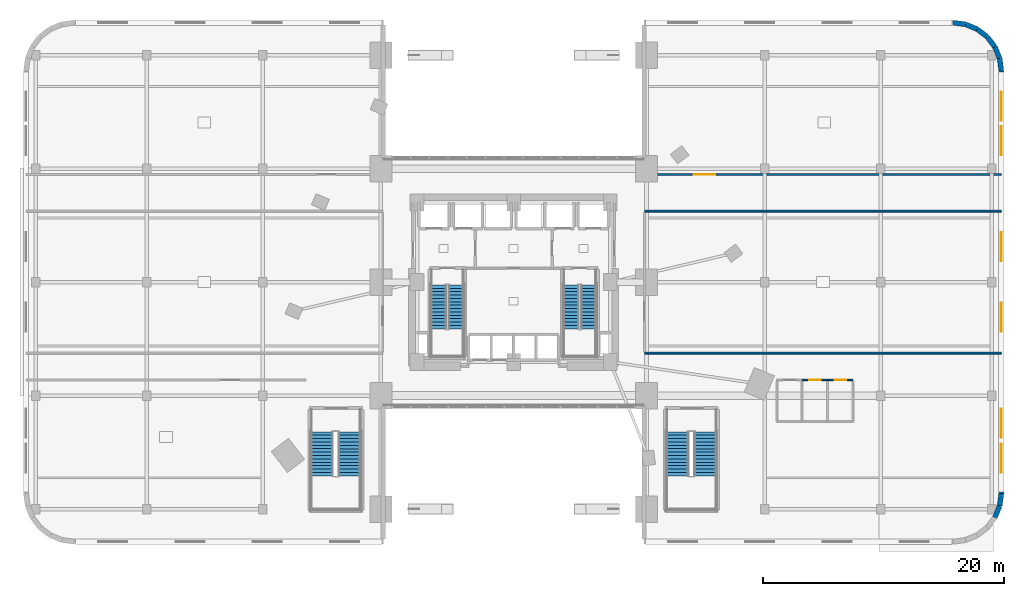
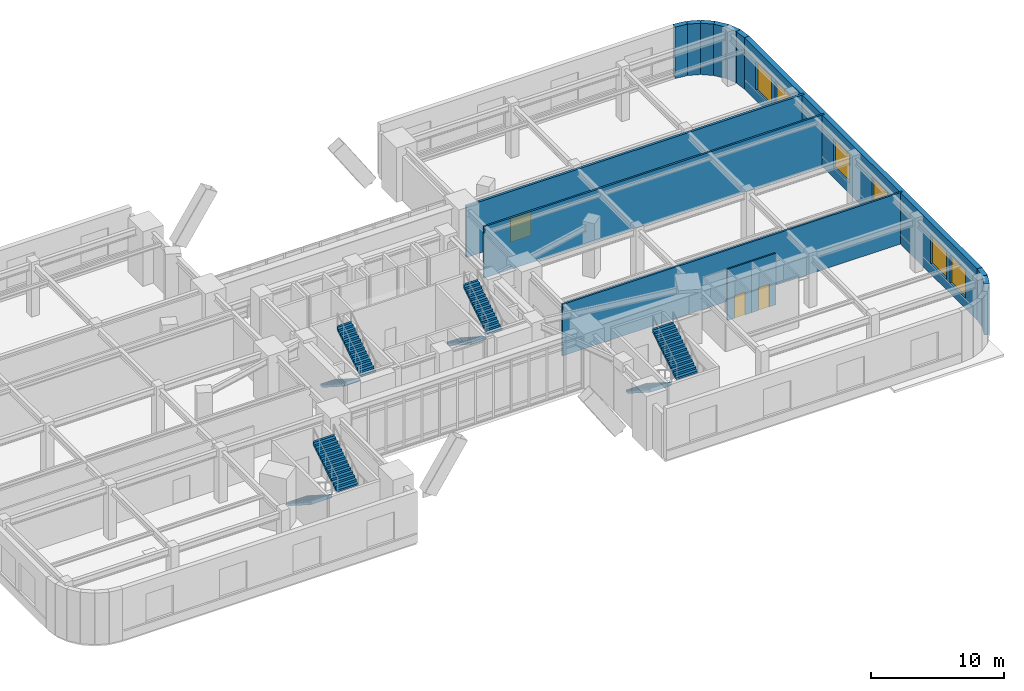
# One storey, part 22 of 26: 14 walls, 8 stair flights, 6 windows, 3 doors, 9 openings, 4 elements without a shape of their own.
"""IFC4 building model written with IfcOpenShell, lengths in metres."""

from ifc_helpers import new_model, si_unit, direction, frame, frame_2d, origin, place, context, subcontext, project, spatial, polyline, rectangle, outline, extrude, material, layer, layer_set, type_object, element, fill, aggregate, save


model = new_model("IFC4")

# Units and contexts
model_context = context("Model", 3, precision=1e-05, world=origin(), true_north=direction((0.0, 1.0)))
body_context = subcontext(model_context, "Body", "Model", "MODEL_VIEW")
ifc_project = project(units=[si_unit("LENGTHUNIT", "METRE"), si_unit("AREAUNIT", "SQUARE_METRE"), si_unit("VOLUMEUNIT", "CUBIC_METRE"), si_unit("PLANEANGLEUNIT", "RADIAN"), si_unit("MASSUNIT", "GRAM", prefix="KILO")], contexts=[model_context])

# Site, building, storey
site_placement = place(None, origin())
site = spatial("IfcSite", under=ifc_project, at=site_placement, CompositionType="ELEMENT")
building_placement = place(site_placement, origin())
building = spatial("IfcBuilding", under=site, at=building_placement, Name="Ndelora Gate Hotel", CompositionType="ELEMENT")
storey_placement = place(building_placement, frame((0.0, 0.0, 6.0)))
storey = spatial("IfcBuildingStorey", under=building, at=storey_placement, Name="L01", CompositionType="ELEMENT", Elevation=6.0)

# Walls
ifc_material_1 = material(Name="Clay Brick Masonry", Category="masonry")
ifc_layer_1 = layer(ifc_material_1, 0.419921875)
ifc_layer_set_1 = layer_set([ifc_layer_1], Name="Clay Brick Masonry")
wall_type_1 = type_object("IfcWallType", Name="WL-BRICK-420", PredefinedType="SOLIDWALL", material=ifc_layer_set_1)
wall_1_placement = place(storey_placement, frame((40.263671875, -18.535400390625, 0.0), z_axis=(0.0, 0.0, 1.0), x_axis=(-0.382771688877, -0.923842970528, 0.0)))
element("IfcWall", 1, at=wall_1_placement, inside=storey, type_object=wall_type_1, Name="L01 Exterior Brick Pier-and-Spandrel Wall 5", PredefinedType="SOLIDWALL", context=body_context, shape_type="SweptSolid", body=[
    extrude(rectangle(XDim=1.044189453125, YDim=0.419921875, at=frame_2d((0.52197265625, 0.0))), origin(), (0.0, 0.0, 1.0), 4.719970703125),
])
wall_2_placement = place(storey_placement, frame((40.39990234375, -17.5, 0.0), z_axis=(0.0, 0.0, 1.0), x_axis=(-0.130448465198, -0.991455091231, 0.0)))
element("IfcWall", 2, at=wall_2_placement, inside=storey, type_object=wall_type_1, Name="L01 Exterior Brick Pier-and-Spandrel Wall 6", PredefinedType="SOLIDWALL", context=body_context, shape_type="SweptSolid", body=[
    extrude(rectangle(XDim=1.04443359375, YDim=0.419921875, at=frame_2d((0.522216796875, 0.0))), origin(), (0.0, 0.0, 1.0), 4.719970703125),
])

# Wall, openings, windows
wall_3_placement = place(storey_placement, frame((40.39990234375, 17.5, 0.0), z_axis=(0.0, 0.0, 1.0), x_axis=(0.0, -1.0, 0.0)))
wall_3 = element("IfcWall", 3, at=wall_3_placement, inside=storey, type_object=wall_type_1, Name="L01 Exterior Brick Pier-and-Spandrel Wall 7", PredefinedType="SOLIDWALL", context=body_context, shape_type="SweptSolid", body=[
    extrude(rectangle(XDim=35.0, YDim=0.419921875, at=frame_2d((17.5, 0.0))), origin(), (0.0, 0.0, 1.0), 4.719970703125),
])
opening_1_placement = place(wall_3_placement, frame((1.716796875, 0.0, 0.949951171875)))
opening_1 = element("IfcOpeningElement", 4, at=opening_1_placement, cuts=wall_3, Name="Opening W04", PredefinedType="OPENING", context=body_context, shape_type="SweptSolid", body=[
    extrude(rectangle(XDim=2.39990234375, YDim=2.60009765625, at=frame_2d((1.199951171875, 1.300048828125))), frame((0.0, 0.219970703125, 0.0), z_axis=(0.0, -1.0, 0.0), x_axis=(1.0, 0.0, 0.0)), (0.0, 0.0, 1.0), 0.43994140625),
])
opening_2_placement = place(wall_3_placement, frame((4.60009765625, 0.0, 0.949951171875)))
opening_2 = element("IfcOpeningElement", 5, at=opening_2_placement, cuts=wall_3, Name="Opening W04", PredefinedType="OPENING", context=body_context, shape_type="SweptSolid", body=[
    extrude(rectangle(XDim=2.39990234375, YDim=2.60009765625, at=frame_2d((1.199951171875, 1.300048828125))), frame((0.0, 0.219970703125, 0.0), z_axis=(0.0, -1.0, 0.0), x_axis=(1.0, 0.0, 0.0)), (0.0, 0.0, 1.0), 0.43994140625),
])
opening_3_placement = place(wall_3_placement, frame((13.38330078125, 0.0, 0.949951171875)))
opening_3 = element("IfcOpeningElement", 6, at=opening_3_placement, cuts=wall_3, Name="Opening W04", PredefinedType="OPENING", context=body_context, shape_type="SweptSolid", body=[
    extrude(rectangle(XDim=2.39990234375, YDim=2.60009765625, at=frame_2d((1.199951171875, 1.300048828125))), frame((0.0, 0.219970703125, 0.0), z_axis=(0.0, -1.0, 0.0), x_axis=(1.0, 0.0, 0.0)), (0.0, 0.0, 1.0), 0.43994140625),
])
opening_4_placement = place(wall_3_placement, frame((19.216796875, 0.0, 0.949951171875)))
opening_4 = element("IfcOpeningElement", 7, at=opening_4_placement, cuts=wall_3, Name="Opening W04", PredefinedType="OPENING", context=body_context, shape_type="SweptSolid", body=[
    extrude(rectangle(XDim=2.39990234375, YDim=2.60009765625, at=frame_2d((1.199951171875, 1.300048828125))), frame((0.0, 0.219970703125, 0.0), z_axis=(0.0, -1.0, 0.0), x_axis=(1.0, 0.0, 0.0)), (0.0, 0.0, 1.0), 0.43994140625),
])
opening_5_placement = place(wall_3_placement, frame((28.0, 0.0, 0.949951171875)))
opening_5 = element("IfcOpeningElement", 8, at=opening_5_placement, cuts=wall_3, Name="Opening W04", PredefinedType="OPENING", context=body_context, shape_type="SweptSolid", body=[
    extrude(rectangle(XDim=2.39990234375, YDim=2.60009765625, at=frame_2d((1.199951171875, 1.300048828125))), frame((0.0, 0.219970703125, 0.0), z_axis=(0.0, -1.0, 0.0), x_axis=(1.0, 0.0, 0.0)), (0.0, 0.0, 1.0), 0.43994140625),
])
opening_6_placement = place(wall_3_placement, frame((30.88330078125, 0.0, 0.949951171875)))
opening_6 = element("IfcOpeningElement", 9, at=opening_6_placement, cuts=wall_3, Name="Opening W04", PredefinedType="OPENING", context=body_context, shape_type="SweptSolid", body=[
    extrude(rectangle(XDim=2.39990234375, YDim=2.60009765625, at=frame_2d((1.199951171875, 1.300048828125))), frame((0.0, 0.219970703125, 0.0), z_axis=(0.0, -1.0, 0.0), x_axis=(1.0, 0.0, 0.0)), (0.0, 0.0, 1.0), 0.43994140625),
])
ifc_material_2 = material(Name="Insulated Low-E Double Glazing in Bronze Aluminium Frame", Category="aluminium")
window_type = type_object("IfcWindowType", Name="WN-POD-2400", PartitioningType="SINGLE_PANEL", PredefinedType="WINDOW", material=ifc_material_2)
window_1_placement = place(opening_1_placement, origin())
window_1 = element("IfcWindow", 10, at=window_1_placement, inside=storey, type_object=window_type, Name="L01 Deep-Set Podium Brick-Frame Window W04", OverallHeight=2.60009765625, OverallWidth=2.39990234375, PartitioningType="SINGLE_PANEL", PredefinedType="WINDOW", context=body_context, shape_type="SweptSolid", body=[
    extrude(rectangle(XDim=2.39990234375, YDim=2.60009765625, at=frame_2d((1.199951171875, 1.300048828125))), frame((0.0, 0.030029296875, 0.0), z_axis=(0.0, -1.0, 0.0), x_axis=(1.0, 0.0, 0.0)), (0.0, 0.0, 1.0), 0.06005859375),
])
fill(opening_1, window_1)
window_2_placement = place(opening_2_placement, origin())
window_2 = element("IfcWindow", 11, at=window_2_placement, inside=storey, type_object=window_type, Name="L01 Deep-Set Podium Brick-Frame Window W04", OverallHeight=2.60009765625, OverallWidth=2.39990234375, PartitioningType="SINGLE_PANEL", PredefinedType="WINDOW", context=body_context, shape_type="SweptSolid", body=[
    extrude(rectangle(XDim=2.39990234375, YDim=2.60009765625, at=frame_2d((1.199951171875, 1.300048828125))), frame((0.0, 0.030029296875, 0.0), z_axis=(0.0, -1.0, 0.0), x_axis=(1.0, 0.0, 0.0)), (0.0, 0.0, 1.0), 0.06005859375),
])
fill(opening_2, window_2)
window_3_placement = place(opening_3_placement, origin())
window_3 = element("IfcWindow", 12, at=window_3_placement, inside=storey, type_object=window_type, Name="L01 Deep-Set Podium Brick-Frame Window W04", OverallHeight=2.60009765625, OverallWidth=2.39990234375, PartitioningType="SINGLE_PANEL", PredefinedType="WINDOW", context=body_context, shape_type="SweptSolid", body=[
    extrude(rectangle(XDim=2.39990234375, YDim=2.60009765625, at=frame_2d((1.199951171875, 1.300048828125))), frame((0.0, 0.030029296875, 0.0), z_axis=(0.0, -1.0, 0.0), x_axis=(1.0, 0.0, 0.0)), (0.0, 0.0, 1.0), 0.06005859375),
])
fill(opening_3, window_3)
window_4_placement = place(opening_4_placement, origin())
window_4 = element("IfcWindow", 13, at=window_4_placement, inside=storey, type_object=window_type, Name="L01 Deep-Set Podium Brick-Frame Window W04", OverallHeight=2.60009765625, OverallWidth=2.39990234375, PartitioningType="SINGLE_PANEL", PredefinedType="WINDOW", context=body_context, shape_type="SweptSolid", body=[
    extrude(rectangle(XDim=2.39990234375, YDim=2.60009765625, at=frame_2d((1.199951171875, 1.300048828125))), frame((0.0, 0.030029296875, 0.0), z_axis=(0.0, -1.0, 0.0), x_axis=(1.0, 0.0, 0.0)), (0.0, 0.0, 1.0), 0.06005859375),
])
fill(opening_4, window_4)
window_5_placement = place(opening_5_placement, origin())
window_5 = element("IfcWindow", 14, at=window_5_placement, inside=storey, type_object=window_type, Name="L01 Deep-Set Podium Brick-Frame Window W04", OverallHeight=2.60009765625, OverallWidth=2.39990234375, PartitioningType="SINGLE_PANEL", PredefinedType="WINDOW", context=body_context, shape_type="SweptSolid", body=[
    extrude(rectangle(XDim=2.39990234375, YDim=2.60009765625, at=frame_2d((1.199951171875, 1.300048828125))), frame((0.0, 0.030029296875, 0.0), z_axis=(0.0, -1.0, 0.0), x_axis=(1.0, 0.0, 0.0)), (0.0, 0.0, 1.0), 0.06005859375),
])
fill(opening_5, window_5)
window_6_placement = place(opening_6_placement, origin())
window_6 = element("IfcWindow", 15, at=window_6_placement, inside=storey, type_object=window_type, Name="L01 Deep-Set Podium Brick-Frame Window W04", OverallHeight=2.60009765625, OverallWidth=2.39990234375, PartitioningType="SINGLE_PANEL", PredefinedType="WINDOW", context=body_context, shape_type="SweptSolid", body=[
    extrude(rectangle(XDim=2.39990234375, YDim=2.60009765625, at=frame_2d((1.199951171875, 1.300048828125))), frame((0.0, 0.030029296875, 0.0), z_axis=(0.0, -1.0, 0.0), x_axis=(1.0, 0.0, 0.0)), (0.0, 0.0, 1.0), 0.06005859375),
])
fill(opening_6, window_6)

# Walls
wall_4_placement = place(storey_placement, frame((40.263671875, 18.535400390625, 0.0), z_axis=(0.0, 0.0, 1.0), x_axis=(0.130448465198, -0.991455091231, 0.0)))
element("IfcWall", 16, at=wall_4_placement, inside=storey, type_object=wall_type_1, Name="L01 Exterior Brick Pier-and-Spandrel Wall 8", PredefinedType="SOLIDWALL", context=body_context, shape_type="SweptSolid", body=[
    extrude(rectangle(XDim=1.04443359375, YDim=0.419921875, at=frame_2d((0.522216796875, 0.0))), origin(), (0.0, 0.0, 1.0), 4.719970703125),
])
wall_5_placement = place(storey_placement, frame((39.864013671875, 19.5, 0.0), z_axis=(0.0, 0.0, 1.0), x_axis=(0.382771688877, -0.923842970528, 0.0)))
element("IfcWall", 17, at=wall_5_placement, inside=storey, type_object=wall_type_1, Name="L01 Exterior Brick Pier-and-Spandrel Wall 9", PredefinedType="SOLIDWALL", context=body_context, shape_type="SweptSolid", body=[
    extrude(rectangle(XDim=1.044189453125, YDim=0.419921875, at=frame_2d((0.52197265625, 0.0))), origin(), (0.0, 0.0, 1.0), 4.719970703125),
])
wall_6_placement = place(storey_placement, frame((39.228515625, 20.328369140625, 0.0), z_axis=(0.0, 0.0, 1.0), x_axis=(0.608681879412, -0.793414374508, 0.0)))
element("IfcWall", 18, at=wall_6_placement, inside=storey, type_object=wall_type_1, Name="L01 Exterior Brick Pier-and-Spandrel Wall 10", PredefinedType="SOLIDWALL", context=body_context, shape_type="SweptSolid", body=[
    extrude(rectangle(XDim=1.0439453125, YDim=0.419921875, at=frame_2d((0.52197265625, 0.0))), origin(), (0.0, 0.0, 1.0), 4.719970703125),
])
wall_7_placement = place(storey_placement, frame((38.39990234375, 20.964111328125, 0.0), z_axis=(0.0, 0.0, 1.0), x_axis=(0.793388088797, -0.608716141198, 0.0)))
element("IfcWall", 19, at=wall_7_placement, inside=storey, type_object=wall_type_1, Name="L01 Exterior Brick Pier-and-Spandrel Wall 11", PredefinedType="SOLIDWALL", context=body_context, shape_type="SweptSolid", body=[
    extrude(rectangle(XDim=1.04443359375, YDim=0.419921875, at=frame_2d((0.522216796875, 0.0))), origin(), (0.0, 0.0, 1.0), 4.719970703125),
])
wall_8_placement = place(storey_placement, frame((37.435302734375, 21.36376953125, 0.0), z_axis=(0.0, 0.0, 1.0), x_axis=(0.923842970528, -0.382771688877, 0.0)))
element("IfcWall", 20, at=wall_8_placement, inside=storey, type_object=wall_type_1, Name="L01 Exterior Brick Pier-and-Spandrel Wall 12", PredefinedType="SOLIDWALL", context=body_context, shape_type="SweptSolid", body=[
    extrude(rectangle(XDim=1.044189453125, YDim=0.419921875, at=frame_2d((0.52197265625, 0.0))), origin(), (0.0, 0.0, 1.0), 4.719970703125),
])
wall_9_placement = place(storey_placement, frame((36.39990234375, 21.5, 0.0), z_axis=(0.0, 0.0, 1.0), x_axis=(0.991455091231, -0.130448465198, 0.0)))
element("IfcWall", 21, at=wall_9_placement, inside=storey, type_object=wall_type_1, Name="L01 Exterior Brick Pier-and-Spandrel Wall 13", PredefinedType="SOLIDWALL", context=body_context, shape_type="SweptSolid", body=[
    extrude(rectangle(XDim=1.04443359375, YDim=0.419921875, at=frame_2d((0.522216796875, 0.0))), origin(), (0.0, 0.0, 1.0), 4.719970703125),
])

# Wall, opening, door
ifc_material_3 = material(Name="Concrete C40/50", Category="concrete")
ifc_layer_2 = layer(ifc_material_3, 0.199951171875)
ifc_layer_set_2 = layer_set([ifc_layer_2], Name="Concrete C40/50")
wall_type_2 = type_object("IfcWallType", Name="WL-FIRE-200", PredefinedType="PARTITIONING", material=ifc_layer_set_2)
wall_10_placement = place(storey_placement, frame((11.050048828125, 8.919921875, 0.0), z_axis=(0.0, 0.0, 1.0), x_axis=(1.0, 0.0, 0.0)))
wall_10 = element("IfcWall", 22, at=wall_10_placement, inside=storey, type_object=wall_type_2, Name="L01 Interior Wall IW-2", PredefinedType="PARTITIONING", context=body_context, shape_type="SweptSolid", body=[
    extrude(rectangle(XDim=29.349853515625, YDim=0.199951171875, at=frame_2d((14.6748046875, 0.0))), origin(), (0.0, 0.0, 1.0), 4.719970703125),
])
opening_7_placement = place(wall_10_placement, frame((3.860107421875, 0.0, 0.0)))
opening_7 = element("IfcOpeningElement", 23, at=opening_7_placement, cuts=wall_10, Name="Opening FD2", PredefinedType="OPENING", context=body_context, shape_type="SweptSolid", body=[
    extrude(rectangle(XDim=1.800048828125, YDim=2.199951171875, at=frame_2d((0.89990234375, 1.10009765625))), frame((0.0, 0.10986328125, 0.0), z_axis=(0.0, -1.0, 0.0), x_axis=(1.0, 0.0, 0.0)), (0.0, 0.0, 1.0), 0.219970703125),
])
ifc_material_4 = material(Name="Fire-Rated Double Exit Door", Category="wood")
door_type_1 = type_object("IfcDoorType", Name="DR-DBL-1800", OperationType="DOUBLE_DOOR_SINGLE_SWING", PredefinedType="DOOR", material=ifc_material_4)
door_1_placement = place(opening_7_placement, origin())
door_1 = element("IfcDoor", 24, at=door_1_placement, inside=storey, type_object=door_type_1, Name="L01 Main Culinary Production Kitchen Door", OperationType="DOUBLE_DOOR_SINGLE_SWING", OverallHeight=2.199951171875, OverallWidth=1.800048828125, PredefinedType="DOOR", context=body_context, shape_type="SweptSolid", body=[
    extrude(rectangle(XDim=1.800048828125, YDim=2.199951171875, at=frame_2d((0.89990234375, 1.10009765625))), frame((0.0, 0.02490234375, 0.0), z_axis=(0.0, -1.0, 0.0), x_axis=(1.0, 0.0, 0.0)), (0.0, 0.0, 1.0), 0.050048828125),
])
fill(opening_7, door_1)

# Walls
ifc_material_5 = material(Name="Fire-Rated Gypsum Stud Partition", Category="gypsum")
ifc_layer_3 = layer(ifc_material_5, 0.159912109375)
ifc_layer_set_3 = layer_set([ifc_layer_3], Name="Fire-Rated Gypsum Stud Partition")
wall_type_3 = type_object("IfcWallType", Name="WL-PART-160", PredefinedType="PARTITIONING", material=ifc_layer_set_3)
for number, where, z_axis, x_axis, name in (
    (25, (40.39990234375, 5.8798828125, 0.0), (0.0, 0.0, 1.0), (-1.0, 0.0, 0.0), "L01 Interior Wall IW-4"),
    (26, (10.85009765625, -5.8798828125, 0.0), (0.0, 0.0, 1.0), (1.0, 0.0, 0.0), "L01 Interior Wall IW-4"),
):
    element("IfcWall", number, at=place(storey_placement, frame(where, z_axis=z_axis, x_axis=x_axis)), inside=storey, type_object=wall_type_3, Name=name, PredefinedType="PARTITIONING", context=body_context, shape_type="SweptSolid", body=[
        extrude(rectangle(XDim=29.5498046875, YDim=0.159912109375, at=frame_2d((14.77490234375, 0.0))), origin(), (0.0, 0.0, 1.0), 4.719970703125),
    ])

# Wall, opening, door
ifc_material_6 = material(Name="Moisture-Resistant Fire-Rated Tile Partition", Category="gypsum")
ifc_layer_4 = layer(ifc_material_6, 0.1298828125)
ifc_layer_set_4 = layer_set([ifc_layer_4], Name="Moisture-Resistant Fire-Rated Tile Partition")
wall_type_4 = type_object("IfcWallType", Name="WL-WET-RATED", PredefinedType="PARTITIONING", material=ifc_layer_set_4)
wall_11_placement = place(storey_placement, frame((26.0, -8.10009765625, 0.0), z_axis=(0.0, 0.0, 1.0), x_axis=(-1.0, 0.0, 0.0)))
wall_11 = element("IfcWall", 27, at=wall_11_placement, inside=storey, type_object=wall_type_4, Name="L01 Interior Wall IW-6", PredefinedType="PARTITIONING", context=body_context, shape_type="SweptSolid", body=[
    extrude(rectangle(XDim=2.10009765625, YDim=0.1298828125, at=frame_2d((1.050048828125, 0.0))), origin(), (0.0, 0.0, 1.0), 4.719970703125),
])
opening_8_placement = place(wall_11_placement, frame((0.550048828125, 0.0, 0.0)))
opening_8 = element("IfcOpeningElement", 28, at=opening_8_placement, cuts=wall_11, Name="Opening D05", PredefinedType="OPENING", context=body_context, shape_type="SweptSolid", body=[
    extrude(rectangle(XDim=0.949951171875, YDim=2.10009765625, at=frame_2d((0.47509765625, 1.050048828125))), frame((0.0, 0.074951171875, 0.0), z_axis=(0.0, -1.0, 0.0), x_axis=(1.0, 0.0, 0.0)), (0.0, 0.0, 1.0), 0.14990234375),
])
ifc_material_7 = material(Name="Accessible Restroom Wide-Clearance Door", Category="wood")
door_type_2 = type_object("IfcDoorType", Name="DR-ACC-950", OperationType="SINGLE_SWING_LEFT", PredefinedType="DOOR", material=ifc_material_7)
door_2_placement = place(opening_8_placement, origin())
door_2 = element("IfcDoor", 29, at=door_2_placement, inside=storey, type_object=door_type_2, Name="L01 Female Public Restroom Door", OperationType="SINGLE_SWING_RIGHT", OverallHeight=2.10009765625, OverallWidth=0.949951171875, PredefinedType="DOOR", context=body_context, shape_type="SweptSolid", body=[
    extrude(rectangle(XDim=0.949951171875, YDim=2.10009765625, at=frame_2d((0.47509765625, 1.050048828125))), frame((0.0, 0.02490234375, 0.0), z_axis=(0.0, -1.0, 0.0), x_axis=(1.0, 0.0, 0.0)), (0.0, 0.0, 1.0), 0.050048828125),
])
fill(opening_8, door_2)

wall_12_placement = place(storey_placement, frame((28.10009765625, -8.10009765625, 0.0), z_axis=(0.0, 0.0, 1.0), x_axis=(-1.0, 0.0, 0.0)))
wall_12 = element("IfcWall", 30, at=wall_12_placement, inside=storey, type_object=wall_type_4, Name="L01 Interior Wall IW-6", PredefinedType="PARTITIONING", context=body_context, shape_type="SweptSolid", body=[
    extrude(rectangle(XDim=2.10009765625, YDim=0.1298828125, at=frame_2d((1.050048828125, 0.0))), origin(), (0.0, 0.0, 1.0), 4.719970703125),
])
opening_9_placement = place(wall_12_placement, frame((0.550048828125, 0.0, 0.0)))
opening_9 = element("IfcOpeningElement", 31, at=opening_9_placement, cuts=wall_12, Name="Opening D05", PredefinedType="OPENING", context=body_context, shape_type="SweptSolid", body=[
    extrude(rectangle(XDim=0.949951171875, YDim=2.10009765625, at=frame_2d((0.47509765625, 1.050048828125))), frame((0.0, 0.074951171875, 0.0), z_axis=(0.0, -1.0, 0.0), x_axis=(1.0, 0.0, 0.0)), (0.0, 0.0, 1.0), 0.14990234375),
])
door_3_placement = place(opening_9_placement, origin())
door_3 = element("IfcDoor", 32, at=door_3_placement, inside=storey, type_object=door_type_2, Name="L01 Accessible WC Door", OperationType="SINGLE_SWING_LEFT", OverallHeight=2.10009765625, OverallWidth=0.949951171875, PredefinedType="DOOR", context=body_context, shape_type="SweptSolid", body=[
    extrude(rectangle(XDim=0.949951171875, YDim=2.10009765625, at=frame_2d((0.47509765625, 1.050048828125))), frame((0.0, 0.02490234375, 0.0), z_axis=(0.0, -1.0, 0.0), x_axis=(1.0, 0.0, 0.0)), (0.0, 0.0, 1.0), 0.050048828125),
])
fill(opening_9, door_3)

# Stair, stair flights
ifc_material_8 = material(Name="Precast concrete C40/50", Category="concrete")
stair_type_1 = type_object("IfcStairType", Name="STR-DOG-CORE", PredefinedType="HALF_TURN_STAIR", material=ifc_material_8)
stair_1_placement = place(storey_placement, origin())
stair_1 = element("IfcStair", 33, at=stair_1_placement, inside=storey, type_object=stair_type_1, Name="L01 Protected Core Exit Stair ST4", PredefinedType="HALF_TURN_STAIR")
stair_flight_type_1 = type_object("IfcStairFlightType", Name="STF-PRECAST", PredefinedType="STRAIGHT", material=ifc_material_8)
stair_flight_1_placement = place(storey_placement, frame((-6.2099609375, -0.22998046875, 0.0), z_axis=(0.0, 0.0, 1.0), x_axis=(0.0, -1.0, 0.0)))
stair_flight_1 = element("IfcStairFlight", 34, at=stair_flight_1_placement, type_object=stair_flight_type_1, Name="ST4 flight 1", NumberOfRisers=14, NumberOfTreads=13, PredefinedType="STRAIGHT", RiserHeight=0.178571429, TreadLength=0.28, context=body_context, shape_type="SweptSolid", body=[
    extrude(outline(polyline([(-0.00048828125, 0.0), (-0.00048828125, 0.178466796875), (0.0, 0.178466796875), (0.280029296875, 0.178466796875), (0.280029296875, 0.357177734375), (0.56005859375, 0.357177734375), (0.56005859375, 0.53564453125), (0.840087890625, 0.53564453125), (0.840087890625, 0.71435546875), (1.1201171875, 0.71435546875), (1.1201171875, 0.892822265625), (1.39990234375, 0.892822265625), (1.39990234375, 1.071533203125), (1.679931640625, 1.071533203125), (1.679931640625, 1.25), (1.9599609375, 1.25), (1.9599609375, 1.428466796875), (2.239990234375, 1.428466796875), (2.239990234375, 1.607177734375), (2.52001953125, 1.607177734375), (2.52001953125, 1.78564453125), (2.800048828125, 1.78564453125), (2.800048828125, 1.96435546875), (3.080078125, 1.96435546875), (3.080078125, 2.142822265625), (3.360107421875, 2.142822265625), (3.360107421875, 2.321533203125), (3.639892578125, 2.321533203125), (3.639892578125, 2.5), (3.640625, 2.5), (3.640625, 2.320068359375), (3.639892578125, 2.1435546875), (0.27880859375, 0.0), (-0.00048828125, 0.0)])), frame((0.0, 0.64013671875, 0.0), z_axis=(0.0, -1.0, 0.0), x_axis=(1.0, 0.0, 0.0)), (0.0, 0.0, 1.0), 1.280029296875),
])
stair_flight_2_placement = place(storey_placement, frame((-4.77001953125, -3.8701171875, 2.5), z_axis=(0.0, 0.0, 1.0), x_axis=(0.0, 1.0, 0.0)))
stair_flight_2 = element("IfcStairFlight", 35, at=stair_flight_2_placement, type_object=stair_flight_type_1, Name="ST4 flight 2", NumberOfRisers=14, NumberOfTreads=13, PredefinedType="STRAIGHT", RiserHeight=0.178571429, TreadLength=0.28, context=body_context, shape_type="SweptSolid", body=[
    extrude(outline(polyline([(-0.00048828125, 0.0), (-0.00048828125, 0.178466796875), (0.0, 0.178466796875), (0.280029296875, 0.178466796875), (0.280029296875, 0.357177734375), (0.56005859375, 0.357177734375), (0.56005859375, 0.53564453125), (0.840087890625, 0.53564453125), (0.840087890625, 0.71435546875), (1.1201171875, 0.71435546875), (1.1201171875, 0.892822265625), (1.39990234375, 0.892822265625), (1.39990234375, 1.071533203125), (1.679931640625, 1.071533203125), (1.679931640625, 1.25), (1.9599609375, 1.25), (1.9599609375, 1.428466796875), (2.239990234375, 1.428466796875), (2.239990234375, 1.607177734375), (2.52001953125, 1.607177734375), (2.52001953125, 1.78564453125), (2.800048828125, 1.78564453125), (2.800048828125, 1.96435546875), (3.080078125, 1.96435546875), (3.080078125, 2.142822265625), (3.360107421875, 2.142822265625), (3.360107421875, 2.321533203125), (3.639892578125, 2.321533203125), (3.639892578125, 2.5), (3.640625, 2.5), (3.640625, 2.320068359375), (3.639892578125, 2.1435546875), (0.27880859375, 0.0), (-0.00048828125, 0.0)])), frame((0.0, 0.64013671875, 0.0), z_axis=(0.0, -1.0, 0.0), x_axis=(1.0, 0.0, 0.0)), (0.0, 0.0, 1.0), 1.280029296875),
])
aggregate(stair_1, [stair_flight_1, stair_flight_2])

stair_2_placement = place(storey_placement, origin())
stair_2 = element("IfcStair", 36, at=stair_2_placement, inside=storey, type_object=stair_type_1, Name="L01 Protected Core Exit Stair ST5", PredefinedType="HALF_TURN_STAIR")
stair_flight_3_placement = place(storey_placement, frame((4.77001953125, -0.22998046875, 0.0), z_axis=(0.0, 0.0, 1.0), x_axis=(0.0, -1.0, 0.0)))
stair_flight_3 = element("IfcStairFlight", 37, at=stair_flight_3_placement, type_object=stair_flight_type_1, Name="ST5 flight 1", NumberOfRisers=14, NumberOfTreads=13, PredefinedType="STRAIGHT", RiserHeight=0.178571429, TreadLength=0.28, context=body_context, shape_type="SweptSolid", body=[
    extrude(outline(polyline([(-0.00048828125, 0.0), (-0.00048828125, 0.178466796875), (0.0, 0.178466796875), (0.280029296875, 0.178466796875), (0.280029296875, 0.357177734375), (0.56005859375, 0.357177734375), (0.56005859375, 0.53564453125), (0.840087890625, 0.53564453125), (0.840087890625, 0.71435546875), (1.1201171875, 0.71435546875), (1.1201171875, 0.892822265625), (1.39990234375, 0.892822265625), (1.39990234375, 1.071533203125), (1.679931640625, 1.071533203125), (1.679931640625, 1.25), (1.9599609375, 1.25), (1.9599609375, 1.428466796875), (2.239990234375, 1.428466796875), (2.239990234375, 1.607177734375), (2.52001953125, 1.607177734375), (2.52001953125, 1.78564453125), (2.800048828125, 1.78564453125), (2.800048828125, 1.96435546875), (3.080078125, 1.96435546875), (3.080078125, 2.142822265625), (3.360107421875, 2.142822265625), (3.360107421875, 2.321533203125), (3.639892578125, 2.321533203125), (3.639892578125, 2.5), (3.640625, 2.5), (3.640625, 2.320068359375), (3.639892578125, 2.1435546875), (0.27880859375, 0.0), (-0.00048828125, 0.0)])), frame((0.0, 0.64013671875, 0.0), z_axis=(0.0, -1.0, 0.0), x_axis=(1.0, 0.0, 0.0)), (0.0, 0.0, 1.0), 1.280029296875),
])
stair_flight_4_placement = place(storey_placement, frame((6.2099609375, -3.8701171875, 2.5), z_axis=(0.0, 0.0, 1.0), x_axis=(0.0, 1.0, 0.0)))
stair_flight_4 = element("IfcStairFlight", 38, at=stair_flight_4_placement, type_object=stair_flight_type_1, Name="ST5 flight 2", NumberOfRisers=14, NumberOfTreads=13, PredefinedType="STRAIGHT", RiserHeight=0.178571429, TreadLength=0.28, context=body_context, shape_type="SweptSolid", body=[
    extrude(outline(polyline([(-0.00048828125, 0.0), (-0.00048828125, 0.178466796875), (0.0, 0.178466796875), (0.280029296875, 0.178466796875), (0.280029296875, 0.357177734375), (0.56005859375, 0.357177734375), (0.56005859375, 0.53564453125), (0.840087890625, 0.53564453125), (0.840087890625, 0.71435546875), (1.1201171875, 0.71435546875), (1.1201171875, 0.892822265625), (1.39990234375, 0.892822265625), (1.39990234375, 1.071533203125), (1.679931640625, 1.071533203125), (1.679931640625, 1.25), (1.9599609375, 1.25), (1.9599609375, 1.428466796875), (2.239990234375, 1.428466796875), (2.239990234375, 1.607177734375), (2.52001953125, 1.607177734375), (2.52001953125, 1.78564453125), (2.800048828125, 1.78564453125), (2.800048828125, 1.96435546875), (3.080078125, 1.96435546875), (3.080078125, 2.142822265625), (3.360107421875, 2.142822265625), (3.360107421875, 2.321533203125), (3.639892578125, 2.321533203125), (3.639892578125, 2.5), (3.640625, 2.5), (3.640625, 2.320068359375), (3.639892578125, 2.1435546875), (0.27880859375, 0.0), (-0.00048828125, 0.0)])), frame((0.0, 0.64013671875, 0.0), z_axis=(0.0, -1.0, 0.0), x_axis=(1.0, 0.0, 0.0)), (0.0, 0.0, 1.0), 1.280029296875),
])
aggregate(stair_2, [stair_flight_3, stair_flight_4])

stair_type_2 = type_object("IfcStairType", Name="STR-DOG-POD", PredefinedType="HALF_TURN_STAIR", material=ifc_material_8)
stair_3_placement = place(storey_placement, origin())
stair_3 = element("IfcStair", 39, at=stair_3_placement, inside=storey, type_object=stair_type_2, Name="L01 Podium Ballroom Exit Stair ST3A", PredefinedType="HALF_TURN_STAIR")
stair_flight_type_2 = type_object("IfcStairFlightType", Name="STF-PRECAST-WIDE", PredefinedType="STRAIGHT", material=ifc_material_8)
stair_flight_5_placement = place(storey_placement, frame((-15.875, -12.39990234375, 0.0), z_axis=(0.0, 0.0, 1.0), x_axis=(0.0, -1.0, 0.0)))
stair_flight_5 = element("IfcStairFlight", 40, at=stair_flight_5_placement, type_object=stair_flight_type_2, Name="ST3A flight 1", NumberOfRisers=14, NumberOfTreads=13, PredefinedType="STRAIGHT", RiserHeight=0.178571429, TreadLength=0.28, context=body_context, shape_type="SweptSolid", body=[
    extrude(outline(polyline([(-0.00048828125, 0.0), (-0.00048828125, 0.178466796875), (0.0, 0.178466796875), (0.280029296875, 0.178466796875), (0.280029296875, 0.357177734375), (0.56005859375, 0.357177734375), (0.56005859375, 0.53564453125), (0.840087890625, 0.53564453125), (0.840087890625, 0.71435546875), (1.1201171875, 0.71435546875), (1.1201171875, 0.892822265625), (1.39990234375, 0.892822265625), (1.39990234375, 1.071533203125), (1.679931640625, 1.071533203125), (1.679931640625, 1.25), (1.9599609375, 1.25), (1.9599609375, 1.428466796875), (2.239990234375, 1.428466796875), (2.239990234375, 1.607177734375), (2.52001953125, 1.607177734375), (2.52001953125, 1.78564453125), (2.800048828125, 1.78564453125), (2.800048828125, 1.96435546875), (3.080078125, 1.96435546875), (3.080078125, 2.142822265625), (3.360107421875, 2.142822265625), (3.360107421875, 2.321533203125), (3.639892578125, 2.321533203125), (3.639892578125, 2.5), (3.640625, 2.5), (3.640625, 2.320068359375), (3.639892578125, 2.1435546875), (0.27880859375, 0.0), (-0.00048828125, 0.0)])), frame((0.0, 0.925048828125, 0.0), z_axis=(0.0, -1.0, 0.0), x_axis=(1.0, 0.0, 0.0)), (0.0, 0.0, 1.0), 1.85009765625),
])
stair_flight_6_placement = place(storey_placement, frame((-13.5849609375, -16.0400390625, 2.5), z_axis=(0.0, 0.0, 1.0), x_axis=(0.0, 1.0, 0.0)))
stair_flight_6 = element("IfcStairFlight", 41, at=stair_flight_6_placement, type_object=stair_flight_type_2, Name="ST3A flight 2", NumberOfRisers=14, NumberOfTreads=13, PredefinedType="STRAIGHT", RiserHeight=0.178571429, TreadLength=0.28, context=body_context, shape_type="SweptSolid", body=[
    extrude(outline(polyline([(-0.00048828125, 0.0), (-0.00048828125, 0.178466796875), (0.0, 0.178466796875), (0.280029296875, 0.178466796875), (0.280029296875, 0.357177734375), (0.56005859375, 0.357177734375), (0.56005859375, 0.53564453125), (0.840087890625, 0.53564453125), (0.840087890625, 0.71435546875), (1.1201171875, 0.71435546875), (1.1201171875, 0.892822265625), (1.39990234375, 0.892822265625), (1.39990234375, 1.071533203125), (1.679931640625, 1.071533203125), (1.679931640625, 1.25), (1.9599609375, 1.25), (1.9599609375, 1.428466796875), (2.239990234375, 1.428466796875), (2.239990234375, 1.607177734375), (2.52001953125, 1.607177734375), (2.52001953125, 1.78564453125), (2.800048828125, 1.78564453125), (2.800048828125, 1.96435546875), (3.080078125, 1.96435546875), (3.080078125, 2.142822265625), (3.360107421875, 2.142822265625), (3.360107421875, 2.321533203125), (3.639892578125, 2.321533203125), (3.639892578125, 2.5), (3.640625, 2.5), (3.640625, 2.320068359375), (3.639892578125, 2.1435546875), (0.27880859375, 0.0), (-0.00048828125, 0.0)])), frame((0.0, 0.925048828125, 0.0), z_axis=(0.0, -1.0, 0.0), x_axis=(1.0, 0.0, 0.0)), (0.0, 0.0, 1.0), 1.85009765625),
])
aggregate(stair_3, [stair_flight_5, stair_flight_6])

stair_4_placement = place(storey_placement, origin())
stair_4 = element("IfcStair", 42, at=stair_4_placement, inside=storey, type_object=stair_type_2, Name="L01 Podium Conference Exit Stair ST3B", PredefinedType="HALF_TURN_STAIR")
stair_flight_7_placement = place(storey_placement, frame((13.5849609375, -12.39990234375, 0.0), z_axis=(0.0, 0.0, 1.0), x_axis=(0.0, -1.0, 0.0)))
stair_flight_7 = element("IfcStairFlight", 43, at=stair_flight_7_placement, type_object=stair_flight_type_2, Name="ST3B flight 1", NumberOfRisers=14, NumberOfTreads=13, PredefinedType="STRAIGHT", RiserHeight=0.178571429, TreadLength=0.28, context=body_context, shape_type="SweptSolid", body=[
    extrude(outline(polyline([(-0.00048828125, 0.0), (-0.00048828125, 0.178466796875), (0.0, 0.178466796875), (0.280029296875, 0.178466796875), (0.280029296875, 0.357177734375), (0.56005859375, 0.357177734375), (0.56005859375, 0.53564453125), (0.840087890625, 0.53564453125), (0.840087890625, 0.71435546875), (1.1201171875, 0.71435546875), (1.1201171875, 0.892822265625), (1.39990234375, 0.892822265625), (1.39990234375, 1.071533203125), (1.679931640625, 1.071533203125), (1.679931640625, 1.25), (1.9599609375, 1.25), (1.9599609375, 1.428466796875), (2.239990234375, 1.428466796875), (2.239990234375, 1.607177734375), (2.52001953125, 1.607177734375), (2.52001953125, 1.78564453125), (2.800048828125, 1.78564453125), (2.800048828125, 1.96435546875), (3.080078125, 1.96435546875), (3.080078125, 2.142822265625), (3.360107421875, 2.142822265625), (3.360107421875, 2.321533203125), (3.639892578125, 2.321533203125), (3.639892578125, 2.5), (3.640625, 2.5), (3.640625, 2.320068359375), (3.639892578125, 2.1435546875), (0.27880859375, 0.0), (-0.00048828125, 0.0)])), frame((0.0, 0.925048828125, 0.0), z_axis=(0.0, -1.0, 0.0), x_axis=(1.0, 0.0, 0.0)), (0.0, 0.0, 1.0), 1.85009765625),
])
stair_flight_8_placement = place(storey_placement, frame((15.875, -16.0400390625, 2.5), z_axis=(0.0, 0.0, 1.0), x_axis=(0.0, 1.0, 0.0)))
stair_flight_8 = element("IfcStairFlight", 44, at=stair_flight_8_placement, type_object=stair_flight_type_2, Name="ST3B flight 2", NumberOfRisers=14, NumberOfTreads=13, PredefinedType="STRAIGHT", RiserHeight=0.178571429, TreadLength=0.28, context=body_context, shape_type="SweptSolid", body=[
    extrude(outline(polyline([(-0.00048828125, 0.0), (-0.00048828125, 0.178466796875), (0.0, 0.178466796875), (0.280029296875, 0.178466796875), (0.280029296875, 0.357177734375), (0.56005859375, 0.357177734375), (0.56005859375, 0.53564453125), (0.840087890625, 0.53564453125), (0.840087890625, 0.71435546875), (1.1201171875, 0.71435546875), (1.1201171875, 0.892822265625), (1.39990234375, 0.892822265625), (1.39990234375, 1.071533203125), (1.679931640625, 1.071533203125), (1.679931640625, 1.25), (1.9599609375, 1.25), (1.9599609375, 1.428466796875), (2.239990234375, 1.428466796875), (2.239990234375, 1.607177734375), (2.52001953125, 1.607177734375), (2.52001953125, 1.78564453125), (2.800048828125, 1.78564453125), (2.800048828125, 1.96435546875), (3.080078125, 1.96435546875), (3.080078125, 2.142822265625), (3.360107421875, 2.142822265625), (3.360107421875, 2.321533203125), (3.639892578125, 2.321533203125), (3.639892578125, 2.5), (3.640625, 2.5), (3.640625, 2.320068359375), (3.639892578125, 2.1435546875), (0.27880859375, 0.0), (-0.00048828125, 0.0)])), frame((0.0, 0.925048828125, 0.0), z_axis=(0.0, -1.0, 0.0), x_axis=(1.0, 0.0, 0.0)), (0.0, 0.0, 1.0), 1.85009765625),
])
aggregate(stair_4, [stair_flight_7, stair_flight_8])

save(model, "model.ifc")
